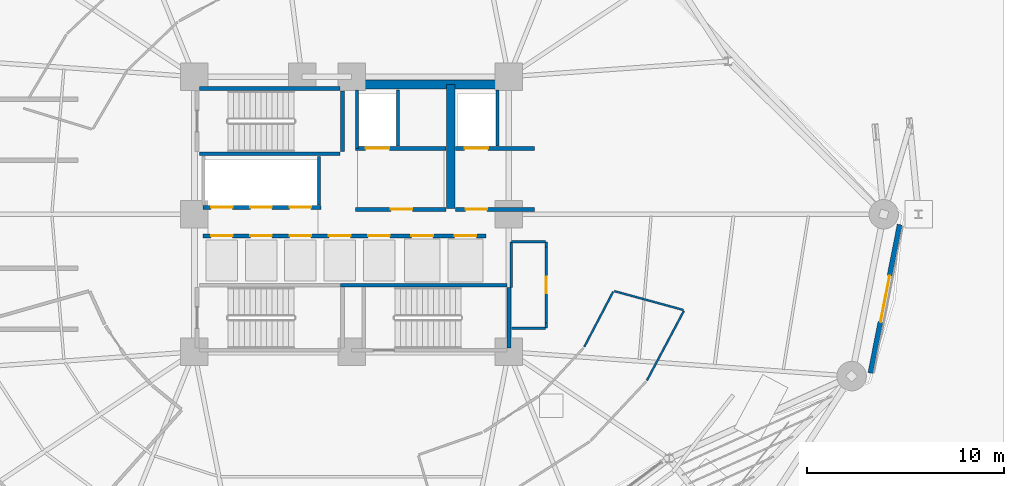
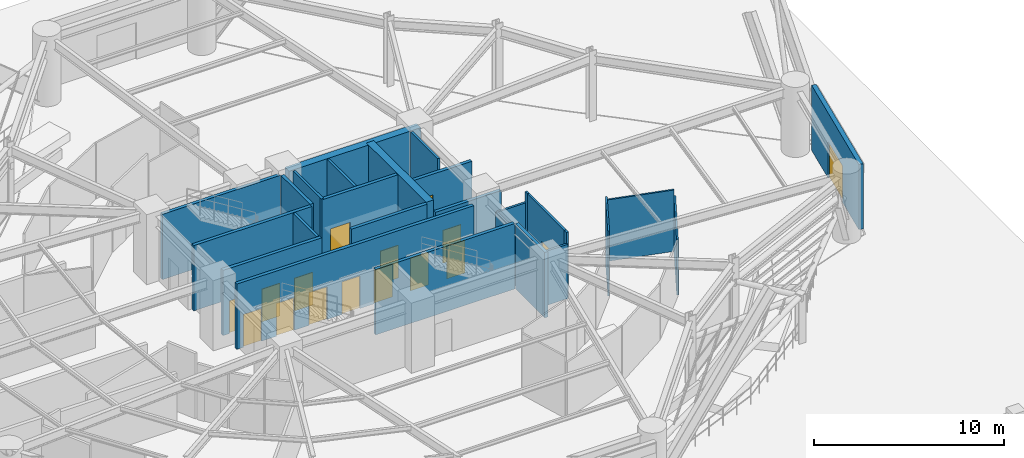
# One storey, part 30 of 40: 27 walls, 16 doors, 16 openings.
"""IFC4 building model written with IfcOpenShell, lengths in metres."""

from ifc_helpers import new_model, si_unit, direction, frame, frame_2d, origin, place, context, subcontext, project, spatial, rectangle, extrude, material, layer, layer_set, type_object, element, fill, save


model = new_model("IFC4")

# Units and contexts
model_context = context("Model", 3, precision=1e-05, world=origin(), true_north=direction((0.0, 1.0)))
body_context = subcontext(model_context, "Body", "Model", "MODEL_VIEW")
ifc_project = project(units=[si_unit("LENGTHUNIT", "METRE"), si_unit("AREAUNIT", "SQUARE_METRE"), si_unit("VOLUMEUNIT", "CUBIC_METRE"), si_unit("PLANEANGLEUNIT", "RADIAN"), si_unit("MASSUNIT", "GRAM", prefix="KILO")], contexts=[model_context])

# Site, building, storey
site_placement = place(None, origin())
site = spatial("IfcSite", under=ifc_project, at=site_placement, CompositionType="ELEMENT")
building_placement = place(site_placement, origin())
building = spatial("IfcBuilding", under=site, at=building_placement, Name="Kelanora Arch Commons", CompositionType="ELEMENT")
storey_placement = place(building_placement, origin())
storey = spatial("IfcBuildingStorey", under=building, at=storey_placement, Name="L00", CompositionType="ELEMENT", Elevation=0.0)

# Walls
ifc_material_1 = material(Name="Autoclaved aerated concrete blockwork with fire plaster", Category="masonry")
ifc_layer_1 = layer(ifc_material_1, 0.14990234375)
ifc_layer_set_1 = layer_set([ifc_layer_1], Name="Autoclaved aerated concrete blockwork with fire plaster")
wall_type_1 = type_object("IfcWallType", Name="W-COMP-150", PredefinedType="PARTITIONING", material=ifc_layer_set_1)
wall_1_placement = place(storey_placement, frame((74.280029296875, 61.35009765625, 0.0), z_axis=(0.0, 0.0, 1.0), x_axis=(0.0, 1.0, 0.0)))
element("IfcWall", 1, at=wall_1_placement, inside=storey, type_object=wall_type_1, Name="Firefighting Lift 1 West Shaft Wall L00", PredefinedType="PARTITIONING", context=body_context, shape_type="SweptSolid", body=[
    extrude(rectangle(XDim=2.969970703125, YDim=0.14990234375, at=frame_2d((1.48486328125, 0.0))), origin(), (0.0, 0.0, 1.0), 4.18994140625),
])
for number, where, z_axis, x_axis, name in (
    (2, (76.360107421875, 61.47998046875, 0.0), (0.0, 0.0, 1.0), (0.0, 1.0, 0.0), "Firefighting Lift 1 East Shaft Wall L00"),
    (3, (81.419921875, 61.47998046875, 0.0), (0.0, 0.0, 1.0), (0.0, 1.0, 0.0), "Firefighting Lift 2 East Shaft Wall L00"),
):
    element("IfcWall", number, at=place(storey_placement, frame(where, z_axis=z_axis, x_axis=x_axis)), inside=storey, type_object=wall_type_1, Name=name, PredefinedType="PARTITIONING", context=body_context, shape_type="SweptSolid", body=[
        extrude(rectangle(XDim=2.840087890625, YDim=0.14990234375, at=frame_2d((1.419921875, 0.0))), origin(), (0.0, 0.0, 1.0), 4.18994140625),
    ])
wall_2_placement = place(storey_placement, frame((72.340087890625, 58.47998046875, 0.0), z_axis=(0.0, 0.0, 1.0), x_axis=(0.0, 1.0, 0.0)))
element("IfcWall", 4, at=wall_2_placement, inside=storey, type_object=wall_type_1, Name="Low-Rise Lift Bank East Wall L00", PredefinedType="PARTITIONING", context=body_context, shape_type="SweptSolid", body=[
    extrude(rectangle(XDim=2.4599609375, YDim=0.14990234375, at=frame_2d((1.22998046875, 0.0))), origin(), (0.0, 0.0, 1.0), 4.18994140625),
])
ifc_material_2 = material(Name="Concrete C60/75", Category="concrete")
ifc_layer_2 = layer(ifc_material_2, 0.449951171875)
ifc_layer_set_2 = layer_set([ifc_layer_2], Name="Concrete C60/75")
wall_type_2 = type_object("IfcWallType", Name="W-CORE-450", PredefinedType="SHEAR", material=ifc_layer_set_2)
wall_3_placement = place(storey_placement, frame((74.0, 64.60009765625, 0.0), z_axis=(0.0, 0.0, 1.0), x_axis=(1.0, 0.0, 0.0)))
element("IfcWall", 5, at=wall_3_placement, inside=storey, type_object=wall_type_2, Name="Core Shear Spine L00-CN-E", PredefinedType="SHEAR", context=body_context, shape_type="SweptSolid", body=[
    extrude(rectangle(XDim=8.0, YDim=0.449951171875, at=frame_2d((4.0, 0.0))), origin(), (0.0, 0.0, 1.0), 4.199951171875),
])
wall_4_placement = place(storey_placement, frame((79.050048828125, 58.300048828125, 0.0), z_axis=(0.0, 0.0, 1.0), x_axis=(0.0, 1.0, 0.0)))
element("IfcWall", 6, at=wall_4_placement, inside=storey, type_object=wall_type_2, Name="Core Shear Spine L00-CE-N", PredefinedType="SHEAR", context=body_context, shape_type="SweptSolid", body=[
    extrude(rectangle(XDim=6.300048828125, YDim=0.449951171875, at=frame_2d((3.14990234375, 0.0))), origin(), (0.0, 0.0, 1.0), 4.199951171875),
])

# Wall, opening, door
ifc_material_3 = material(Name="Precast concrete C40/50 with terracotta rainscreen", Category="masonry")
ifc_layer_3 = layer(ifc_material_3, 0.260009765625)
ifc_layer_set_3 = layer_set([ifc_layer_3], Name="Precast concrete C40/50 with terracotta rainscreen")
wall_type_3 = type_object("IfcWallType", Name="W-EXT-TC", PredefinedType="SOLIDWALL", material=ifc_layer_set_3)
wall_5_placement = place(storey_placement, frame((100.404296875, 49.919921875, 0.0), z_axis=(0.0, 0.0, 1.0), x_axis=(0.193726159581, 0.98105564322, 0.0)))
wall_5 = element("IfcWall", 7, at=wall_5_placement, inside=storey, type_object=wall_type_3, Name="Terracotta Exterior Wall L00-B17", PredefinedType="SOLIDWALL", context=body_context, shape_type="SweptSolid", body=[
    extrude(rectangle(XDim=7.70263671875, YDim=0.260009765625, at=frame_2d((3.851318359375, 0.0))), origin(), (0.0, 0.0, 1.0), 4.18505859375),
])
opening_1_placement = place(wall_5_placement, frame((2.65087890625, 0.0, 0.0)))
opening_1 = element("IfcOpeningElement", 8, at=opening_1_placement, cuts=wall_5, Name="Opening DX-01", PredefinedType="OPENING", context=body_context, shape_type="SweptSolid", body=[
    extrude(rectangle(XDim=2.39990234375, YDim=2.35009765625, at=frame_2d((1.199951171875, 1.175048828125))), frame((0.0, 0.14013671875, 0.0), z_axis=(0.0, -1.0, 0.0), x_axis=(1.0, 0.0, 0.0)), (0.0, 0.0, 1.0), 0.280029296875),
])
ifc_material_4 = material(Name="Powder-coated aluminium glazed double escape door", Category="aluminium")
door_type_1 = type_object("IfcDoorType", Name="D-EXIT-22", OperationType="NOTDEFINED", PredefinedType="DOOR", material=ifc_material_4)
door_1_placement = place(opening_1_placement, frame((2.39990234375, 0.0, 0.0), z_axis=(0.0, 0.0, 1.0), x_axis=(-1.0, 0.0, 0.0)))
door_1 = element("IfcDoor", 9, at=door_1_placement, inside=storey, type_object=door_type_1, Name="Tower Ground Pedestrian Exit Door T17", OperationType="DOUBLE_DOOR_SINGLE_SWING", OverallHeight=2.35009765625, OverallWidth=2.39990234375, PredefinedType="DOOR", context=body_context, shape_type="SweptSolid", body=[
    extrude(rectangle(XDim=2.39990234375, YDim=2.35009765625, at=frame_2d((1.199951171875, 1.175048828125))), frame((0.0, 0.02490234375, 0.0), z_axis=(0.0, -1.0, 0.0), x_axis=(1.0, 0.0, 0.0)), (0.0, 0.0, 1.0), 0.050048828125),
])
fill(opening_1, door_1)

ifc_material_5 = material(Name="Concrete C40/50", Category="concrete")
ifc_layer_4 = layer(ifc_material_5, 0.199951171875)
ifc_layer_set_4 = layer_set([ifc_layer_4], Name="Concrete C40/50")
wall_type_4 = type_object("IfcWallType", Name="W-FFL-200", PredefinedType="SOLIDWALL", material=ifc_layer_set_4)
wall_6_placement = place(storey_placement, frame((74.199951171875, 61.35009765625, 0.0), z_axis=(0.0, 0.0, 1.0), x_axis=(1.0, 0.0, 0.0)))
wall_6 = element("IfcWall", 10, at=wall_6_placement, inside=storey, type_object=wall_type_4, Name="Firefighting Lift 1 Shaft Front L00", PredefinedType="SOLIDWALL", context=body_context, shape_type="SweptSolid", body=[
    extrude(rectangle(XDim=4.60009765625, YDim=0.199951171875, at=frame_2d((2.300048828125, 0.0))), origin(), (0.0, 0.0, 1.0), 4.18994140625),
])
opening_2_placement = place(wall_6_placement, frame((0.52001953125, 0.0, 0.0)))
opening_2 = element("IfcOpeningElement", 11, at=opening_2_placement, cuts=wall_6, Name="Opening LD-FF", PredefinedType="OPENING", context=body_context, shape_type="SweptSolid", body=[
    extrude(rectangle(XDim=1.199951171875, YDim=2.14990234375, at=frame_2d((0.60009765625, 1.074951171875))), frame((0.0, 0.10986328125, 0.0), z_axis=(0.0, -1.0, 0.0), x_axis=(1.0, 0.0, 0.0)), (0.0, 0.0, 1.0), 0.219970703125),
])
ifc_material_6 = material(Name="Fire-rated firefighters lift sliding landing door")
door_type_2 = type_object("IfcDoorType", Name="D-LIFT-FF", OperationType="NOTDEFINED", PredefinedType="DOOR", material=ifc_material_6)
door_2_placement = place(opening_2_placement, origin())
door_2 = element("IfcDoor", 12, at=door_2_placement, inside=storey, type_object=door_type_2, Name="Firefighting Lift LF-FF1 Landing Door L00", OperationType="DOUBLE_DOOR_SLIDING", OverallHeight=2.14990234375, OverallWidth=1.199951171875, PredefinedType="DOOR", context=body_context, shape_type="SweptSolid", body=[
    extrude(rectangle(XDim=1.199951171875, YDim=2.14990234375, at=frame_2d((0.60009765625, 1.074951171875))), frame((0.0, 0.02490234375, 0.0), z_axis=(0.0, -1.0, 0.0), x_axis=(1.0, 0.0, 0.0)), (0.0, 0.0, 1.0), 0.050048828125),
])
fill(opening_2, door_2)

wall_7_placement = place(storey_placement, frame((79.300048828125, 61.35009765625, 0.0), z_axis=(0.0, 0.0, 1.0), x_axis=(1.0, 0.0, 0.0)))
wall_7 = element("IfcWall", 13, at=wall_7_placement, inside=storey, type_object=wall_type_4, Name="Firefighting Lift 2 Shaft Front L00", PredefinedType="SOLIDWALL", context=body_context, shape_type="SweptSolid", body=[
    extrude(rectangle(XDim=4.0, YDim=0.199951171875, at=frame_2d((2.0, 0.0))), origin(), (0.0, 0.0, 1.0), 3.485107421875),
])
opening_3_placement = place(wall_7_placement, frame((0.449951171875, 0.0, 0.0)))
opening_3 = element("IfcOpeningElement", 14, at=opening_3_placement, cuts=wall_7, Name="Opening LD-FF", PredefinedType="OPENING", context=body_context, shape_type="SweptSolid", body=[
    extrude(rectangle(XDim=1.199951171875, YDim=2.14990234375, at=frame_2d((0.60009765625, 1.074951171875))), frame((0.0, 0.10986328125, 0.0), z_axis=(0.0, -1.0, 0.0), x_axis=(1.0, 0.0, 0.0)), (0.0, 0.0, 1.0), 0.219970703125),
])
door_3_placement = place(opening_3_placement, origin())
door_3 = element("IfcDoor", 15, at=door_3_placement, inside=storey, type_object=door_type_2, Name="Firefighting Lift LF-FF2 Landing Door L00", OperationType="DOUBLE_DOOR_SLIDING", OverallHeight=2.14990234375, OverallWidth=1.199951171875, PredefinedType="DOOR", context=body_context, shape_type="SweptSolid", body=[
    extrude(rectangle(XDim=1.199951171875, YDim=2.14990234375, at=frame_2d((0.60009765625, 1.074951171875))), frame((0.0, 0.02490234375, 0.0), z_axis=(0.0, -1.0, 0.0), x_axis=(1.0, 0.0, 0.0)), (0.0, 0.0, 1.0), 0.050048828125),
])
fill(opening_3, door_3)

wall_8_placement = place(storey_placement, frame((74.199951171875, 58.25, 0.0), z_axis=(0.0, 0.0, 1.0), x_axis=(1.0, 0.0, 0.0)))
wall_8 = element("IfcWall", 16, at=wall_8_placement, inside=storey, type_object=wall_type_4, Name="Firefighting Lobby 1 Enclosure Wall L00", PredefinedType="SOLIDWALL", context=body_context, shape_type="SweptSolid", body=[
    extrude(rectangle(XDim=4.60009765625, YDim=0.199951171875, at=frame_2d((2.300048828125, 0.0))), origin(), (0.0, 0.0, 1.0), 4.18994140625),
])
opening_4_placement = place(wall_8_placement, frame((1.800048828125, 0.0, 0.0)))
opening_4 = element("IfcOpeningElement", 17, at=opening_4_placement, cuts=wall_8, Name="Opening D-FFL1", PredefinedType="OPENING", context=body_context, shape_type="SweptSolid", body=[
    extrude(rectangle(XDim=1.10009765625, YDim=2.10009765625, at=frame_2d((0.550048828125, 1.050048828125))), frame((0.0, 0.10986328125, 0.0), z_axis=(0.0, -1.0, 0.0), x_axis=(1.0, 0.0, 0.0)), (0.0, 0.0, 1.0), 0.219970703125),
])
ifc_material_7 = material(Name="Smoke-sealed firefighting lobby fire door")
door_type_3 = type_object("IfcDoorType", Name="D-FFL-110", OperationType="NOTDEFINED", PredefinedType="DOOR", material=ifc_material_7)
door_4_placement = place(opening_4_placement, frame((1.10009765625, 0.0, 0.0), z_axis=(0.0, 0.0, 1.0), x_axis=(-1.0, 0.0, 0.0)))
door_4 = element("IfcDoor", 18, at=door_4_placement, inside=storey, type_object=door_type_3, Name="Firefighting Lobby 1 Door L00", OperationType="SINGLE_SWING_LEFT", OverallHeight=2.10009765625, OverallWidth=1.10009765625, PredefinedType="DOOR", context=body_context, shape_type="SweptSolid", body=[
    extrude(rectangle(XDim=1.10009765625, YDim=2.10009765625, at=frame_2d((0.550048828125, 1.050048828125))), frame((0.0, 0.02490234375, 0.0), z_axis=(0.0, -1.0, 0.0), x_axis=(1.0, 0.0, 0.0)), (0.0, 0.0, 1.0), 0.050048828125),
])
fill(opening_4, door_4)

wall_9_placement = place(storey_placement, frame((79.300048828125, 58.25, 0.0), z_axis=(0.0, 0.0, 1.0), x_axis=(1.0, 0.0, 0.0)))
wall_9 = element("IfcWall", 19, at=wall_9_placement, inside=storey, type_object=wall_type_4, Name="Firefighting Lobby 2 Enclosure Wall L00", PredefinedType="SOLIDWALL", context=body_context, shape_type="SweptSolid", body=[
    extrude(rectangle(XDim=4.0, YDim=0.199951171875, at=frame_2d((2.0, 0.0))), origin(), (0.0, 0.0, 1.0), 3.485107421875),
])
opening_5_placement = place(wall_9_placement, frame((0.5, 0.0, 0.0)))
opening_5 = element("IfcOpeningElement", 20, at=opening_5_placement, cuts=wall_9, Name="Opening D-FFL1", PredefinedType="OPENING", context=body_context, shape_type="SweptSolid", body=[
    extrude(rectangle(XDim=1.10009765625, YDim=2.10009765625, at=frame_2d((0.550048828125, 1.050048828125))), frame((0.0, 0.10986328125, 0.0), z_axis=(0.0, -1.0, 0.0), x_axis=(1.0, 0.0, 0.0)), (0.0, 0.0, 1.0), 0.219970703125),
])
door_5_placement = place(opening_5_placement, frame((1.10009765625, 0.0, 0.0), z_axis=(0.0, 0.0, 1.0), x_axis=(-1.0, 0.0, 0.0)))
door_5 = element("IfcDoor", 21, at=door_5_placement, inside=storey, type_object=door_type_3, Name="Firefighting Lobby 2 Door L00", OperationType="SINGLE_SWING_RIGHT", OverallHeight=2.10009765625, OverallWidth=1.10009765625, PredefinedType="DOOR", context=body_context, shape_type="SweptSolid", body=[
    extrude(rectangle(XDim=1.10009765625, YDim=2.10009765625, at=frame_2d((0.550048828125, 1.050048828125))), frame((0.0, 0.02490234375, 0.0), z_axis=(0.0, -1.0, 0.0), x_axis=(1.0, 0.0, 0.0)), (0.0, 0.0, 1.0), 0.050048828125),
])
fill(opening_5, door_5)

# Wall, openings, doors
wall_10_placement = place(storey_placement, frame((66.449951171875, 58.35009765625, 0.0), z_axis=(0.0, 0.0, 1.0), x_axis=(1.0, 0.0, 0.0)))
wall_10 = element("IfcWall", 22, at=wall_10_placement, inside=storey, type_object=wall_type_4, Name="Low-Rise Passenger Lift Shaft Front L00", PredefinedType="SOLIDWALL", context=body_context, shape_type="SweptSolid", body=[
    extrude(rectangle(XDim=6.0, YDim=0.199951171875, at=frame_2d((3.0, 0.0))), origin(), (0.0, 0.0, 1.0), 4.18994140625),
])
opening_6_placement = place(wall_10_placement, frame((0.39990234375, 0.0, 0.0)))
opening_6 = element("IfcOpeningElement", 23, at=opening_6_placement, cuts=wall_10, Name="Opening LD-01", PredefinedType="OPENING", context=body_context, shape_type="SweptSolid", body=[
    extrude(rectangle(XDim=1.10009765625, YDim=2.10009765625, at=frame_2d((0.550048828125, 1.050048828125))), frame((0.0, 0.10986328125, 0.0), z_axis=(0.0, -1.0, 0.0), x_axis=(1.0, 0.0, 0.0)), (0.0, 0.0, 1.0), 0.219970703125),
])
opening_7_placement = place(wall_10_placement, frame((2.39990234375, 0.0, 0.0)))
opening_7 = element("IfcOpeningElement", 24, at=opening_7_placement, cuts=wall_10, Name="Opening LD-01", PredefinedType="OPENING", context=body_context, shape_type="SweptSolid", body=[
    extrude(rectangle(XDim=1.10009765625, YDim=2.10009765625, at=frame_2d((0.550048828125, 1.050048828125))), frame((0.0, 0.10986328125, 0.0), z_axis=(0.0, -1.0, 0.0), x_axis=(1.0, 0.0, 0.0)), (0.0, 0.0, 1.0), 0.219970703125),
])
opening_8_placement = place(wall_10_placement, frame((4.39990234375, 0.0, 0.0)))
opening_8 = element("IfcOpeningElement", 25, at=opening_8_placement, cuts=wall_10, Name="Opening LD-01", PredefinedType="OPENING", context=body_context, shape_type="SweptSolid", body=[
    extrude(rectangle(XDim=1.10009765625, YDim=2.10009765625, at=frame_2d((0.550048828125, 1.050048828125))), frame((0.0, 0.10986328125, 0.0), z_axis=(0.0, -1.0, 0.0), x_axis=(1.0, 0.0, 0.0)), (0.0, 0.0, 1.0), 0.219970703125),
])
ifc_material_8 = material(Name="Stainless steel passenger lift sliding landing door", Category="steel")
door_type_4 = type_object("IfcDoorType", Name="D-LIFT-110", OperationType="NOTDEFINED", PredefinedType="DOOR", material=ifc_material_8)
door_6_placement = place(opening_6_placement, origin())
door_6 = element("IfcDoor", 26, at=door_6_placement, inside=storey, type_object=door_type_4, Name="Passenger Lift LF-P1 Landing Door L00", OperationType="DOUBLE_DOOR_SLIDING", OverallHeight=2.10009765625, OverallWidth=1.10009765625, PredefinedType="DOOR", context=body_context, shape_type="SweptSolid", body=[
    extrude(rectangle(XDim=1.10009765625, YDim=2.10009765625, at=frame_2d((0.550048828125, 1.050048828125))), frame((0.0, 0.02490234375, 0.0), z_axis=(0.0, -1.0, 0.0), x_axis=(1.0, 0.0, 0.0)), (0.0, 0.0, 1.0), 0.050048828125),
])
fill(opening_6, door_6)
door_7_placement = place(opening_7_placement, origin())
door_7 = element("IfcDoor", 27, at=door_7_placement, inside=storey, type_object=door_type_4, Name="Passenger Lift LF-P2 Landing Door L00", OperationType="DOUBLE_DOOR_SLIDING", OverallHeight=2.10009765625, OverallWidth=1.10009765625, PredefinedType="DOOR", context=body_context, shape_type="SweptSolid", body=[
    extrude(rectangle(XDim=1.10009765625, YDim=2.10009765625, at=frame_2d((0.550048828125, 1.050048828125))), frame((0.0, 0.02490234375, 0.0), z_axis=(0.0, -1.0, 0.0), x_axis=(1.0, 0.0, 0.0)), (0.0, 0.0, 1.0), 0.050048828125),
])
fill(opening_7, door_7)
door_8_placement = place(opening_8_placement, origin())
door_8 = element("IfcDoor", 28, at=door_8_placement, inside=storey, type_object=door_type_4, Name="Passenger Lift LF-P3 Landing Door L00", OperationType="DOUBLE_DOOR_SLIDING", OverallHeight=2.10009765625, OverallWidth=1.10009765625, PredefinedType="DOOR", context=body_context, shape_type="SweptSolid", body=[
    extrude(rectangle(XDim=1.10009765625, YDim=2.10009765625, at=frame_2d((0.550048828125, 1.050048828125))), frame((0.0, 0.02490234375, 0.0), z_axis=(0.0, -1.0, 0.0), x_axis=(1.0, 0.0, 0.0)), (0.0, 0.0, 1.0), 0.050048828125),
])
fill(opening_8, door_8)

wall_11_placement = place(storey_placement, frame((66.449951171875, 56.89990234375, 0.0), z_axis=(0.0, 0.0, 1.0), x_axis=(1.0, 0.0, 0.0)))
wall_11 = element("IfcWall", 29, at=wall_11_placement, inside=storey, type_object=wall_type_4, Name="Mid/High/Express Lift Shaft Front L00", PredefinedType="SOLIDWALL", context=body_context, shape_type="SweptSolid", body=[
    extrude(rectangle(XDim=14.400146484375, YDim=0.199951171875, at=frame_2d((7.2001953125, 0.0))), origin(), (0.0, 0.0, 1.0), 4.18994140625),
])
opening_9_placement = place(wall_11_placement, frame((0.39990234375, 0.0, 0.0)))
opening_9 = element("IfcOpeningElement", 30, at=opening_9_placement, cuts=wall_11, Name="Opening LD-01", PredefinedType="OPENING", context=body_context, shape_type="SweptSolid", body=[
    extrude(rectangle(XDim=1.10009765625, YDim=2.10009765625, at=frame_2d((0.550048828125, 1.050048828125))), frame((0.0, 0.10986328125, 0.0), z_axis=(0.0, -1.0, 0.0), x_axis=(1.0, 0.0, 0.0)), (0.0, 0.0, 1.0), 0.219970703125),
])
opening_10_placement = place(wall_11_placement, frame((2.39990234375, 0.0, 0.0)))
opening_10 = element("IfcOpeningElement", 31, at=opening_10_placement, cuts=wall_11, Name="Opening LD-01", PredefinedType="OPENING", context=body_context, shape_type="SweptSolid", body=[
    extrude(rectangle(XDim=1.10009765625, YDim=2.10009765625, at=frame_2d((0.550048828125, 1.050048828125))), frame((0.0, 0.10986328125, 0.0), z_axis=(0.0, -1.0, 0.0), x_axis=(1.0, 0.0, 0.0)), (0.0, 0.0, 1.0), 0.219970703125),
])
opening_11_placement = place(wall_11_placement, frame((4.39990234375, 0.0, 0.0)))
opening_11 = element("IfcOpeningElement", 32, at=opening_11_placement, cuts=wall_11, Name="Opening LD-01", PredefinedType="OPENING", context=body_context, shape_type="SweptSolid", body=[
    extrude(rectangle(XDim=1.10009765625, YDim=2.10009765625, at=frame_2d((0.550048828125, 1.050048828125))), frame((0.0, 0.10986328125, 0.0), z_axis=(0.0, -1.0, 0.0), x_axis=(1.0, 0.0, 0.0)), (0.0, 0.0, 1.0), 0.219970703125),
])
opening_12_placement = place(wall_11_placement, frame((6.39990234375, 0.0, 0.0)))
opening_12 = element("IfcOpeningElement", 33, at=opening_12_placement, cuts=wall_11, Name="Opening LD-01", PredefinedType="OPENING", context=body_context, shape_type="SweptSolid", body=[
    extrude(rectangle(XDim=1.10009765625, YDim=2.10009765625, at=frame_2d((0.550048828125, 1.050048828125))), frame((0.0, 0.10986328125, 0.0), z_axis=(0.0, -1.0, 0.0), x_axis=(1.0, 0.0, 0.0)), (0.0, 0.0, 1.0), 0.219970703125),
])
opening_13_placement = place(wall_11_placement, frame((8.39990234375, 0.0, 0.0)))
opening_13 = element("IfcOpeningElement", 34, at=opening_13_placement, cuts=wall_11, Name="Opening LD-01", PredefinedType="OPENING", context=body_context, shape_type="SweptSolid", body=[
    extrude(rectangle(XDim=1.10009765625, YDim=2.10009765625, at=frame_2d((0.550048828125, 1.050048828125))), frame((0.0, 0.10986328125, 0.0), z_axis=(0.0, -1.0, 0.0), x_axis=(1.0, 0.0, 0.0)), (0.0, 0.0, 1.0), 0.219970703125),
])
opening_14_placement = place(wall_11_placement, frame((10.60009765625, 0.0, 0.0)))
opening_14 = element("IfcOpeningElement", 35, at=opening_14_placement, cuts=wall_11, Name="Opening LD-01", PredefinedType="OPENING", context=body_context, shape_type="SweptSolid", body=[
    extrude(rectangle(XDim=1.10009765625, YDim=2.10009765625, at=frame_2d((0.550048828125, 1.050048828125))), frame((0.0, 0.10986328125, 0.0), z_axis=(0.0, -1.0, 0.0), x_axis=(1.0, 0.0, 0.0)), (0.0, 0.0, 1.0), 0.219970703125),
])
opening_15_placement = place(wall_11_placement, frame((12.800048828125, 0.0, 0.0)))
opening_15 = element("IfcOpeningElement", 36, at=opening_15_placement, cuts=wall_11, Name="Opening LD-01", PredefinedType="OPENING", context=body_context, shape_type="SweptSolid", body=[
    extrude(rectangle(XDim=1.10009765625, YDim=2.10009765625, at=frame_2d((0.550048828125, 1.050048828125))), frame((0.0, 0.10986328125, 0.0), z_axis=(0.0, -1.0, 0.0), x_axis=(1.0, 0.0, 0.0)), (0.0, 0.0, 1.0), 0.219970703125),
])
door_9_placement = place(opening_9_placement, origin())
door_9 = element("IfcDoor", 37, at=door_9_placement, inside=storey, type_object=door_type_4, Name="Passenger Lift LF-P4 Landing Door L00", OperationType="DOUBLE_DOOR_SLIDING", OverallHeight=2.10009765625, OverallWidth=1.10009765625, PredefinedType="DOOR", context=body_context, shape_type="SweptSolid", body=[
    extrude(rectangle(XDim=1.10009765625, YDim=2.10009765625, at=frame_2d((0.550048828125, 1.050048828125))), frame((0.0, 0.02490234375, 0.0), z_axis=(0.0, -1.0, 0.0), x_axis=(1.0, 0.0, 0.0)), (0.0, 0.0, 1.0), 0.050048828125),
])
fill(opening_9, door_9)
door_10_placement = place(opening_10_placement, origin())
door_10 = element("IfcDoor", 38, at=door_10_placement, inside=storey, type_object=door_type_4, Name="Passenger Lift LF-P5 Landing Door L00", OperationType="DOUBLE_DOOR_SLIDING", OverallHeight=2.10009765625, OverallWidth=1.10009765625, PredefinedType="DOOR", context=body_context, shape_type="SweptSolid", body=[
    extrude(rectangle(XDim=1.10009765625, YDim=2.10009765625, at=frame_2d((0.550048828125, 1.050048828125))), frame((0.0, 0.02490234375, 0.0), z_axis=(0.0, -1.0, 0.0), x_axis=(1.0, 0.0, 0.0)), (0.0, 0.0, 1.0), 0.050048828125),
])
fill(opening_10, door_10)
door_11_placement = place(opening_11_placement, origin())
door_11 = element("IfcDoor", 39, at=door_11_placement, inside=storey, type_object=door_type_4, Name="Passenger Lift LF-P6 Landing Door L00", OperationType="DOUBLE_DOOR_SLIDING", OverallHeight=2.10009765625, OverallWidth=1.10009765625, PredefinedType="DOOR", context=body_context, shape_type="SweptSolid", body=[
    extrude(rectangle(XDim=1.10009765625, YDim=2.10009765625, at=frame_2d((0.550048828125, 1.050048828125))), frame((0.0, 0.02490234375, 0.0), z_axis=(0.0, -1.0, 0.0), x_axis=(1.0, 0.0, 0.0)), (0.0, 0.0, 1.0), 0.050048828125),
])
fill(opening_11, door_11)
door_12_placement = place(opening_12_placement, origin())
door_12 = element("IfcDoor", 40, at=door_12_placement, inside=storey, type_object=door_type_4, Name="Passenger Lift LF-P7 Landing Door L00", OperationType="DOUBLE_DOOR_SLIDING", OverallHeight=2.10009765625, OverallWidth=1.10009765625, PredefinedType="DOOR", context=body_context, shape_type="SweptSolid", body=[
    extrude(rectangle(XDim=1.10009765625, YDim=2.10009765625, at=frame_2d((0.550048828125, 1.050048828125))), frame((0.0, 0.02490234375, 0.0), z_axis=(0.0, -1.0, 0.0), x_axis=(1.0, 0.0, 0.0)), (0.0, 0.0, 1.0), 0.050048828125),
])
fill(opening_12, door_12)
door_13_placement = place(opening_13_placement, origin())
door_13 = element("IfcDoor", 41, at=door_13_placement, inside=storey, type_object=door_type_4, Name="Passenger Lift LF-P8 Landing Door L00", OperationType="DOUBLE_DOOR_SLIDING", OverallHeight=2.10009765625, OverallWidth=1.10009765625, PredefinedType="DOOR", context=body_context, shape_type="SweptSolid", body=[
    extrude(rectangle(XDim=1.10009765625, YDim=2.10009765625, at=frame_2d((0.550048828125, 1.050048828125))), frame((0.0, 0.02490234375, 0.0), z_axis=(0.0, -1.0, 0.0), x_axis=(1.0, 0.0, 0.0)), (0.0, 0.0, 1.0), 0.050048828125),
])
fill(opening_13, door_13)
door_14_placement = place(opening_14_placement, origin())
door_14 = element("IfcDoor", 42, at=door_14_placement, inside=storey, type_object=door_type_4, Name="Passenger Lift LF-EX1 Landing Door L00", OperationType="DOUBLE_DOOR_SLIDING", OverallHeight=2.10009765625, OverallWidth=1.10009765625, PredefinedType="DOOR", context=body_context, shape_type="SweptSolid", body=[
    extrude(rectangle(XDim=1.10009765625, YDim=2.10009765625, at=frame_2d((0.550048828125, 1.050048828125))), frame((0.0, 0.02490234375, 0.0), z_axis=(0.0, -1.0, 0.0), x_axis=(1.0, 0.0, 0.0)), (0.0, 0.0, 1.0), 0.050048828125),
])
fill(opening_14, door_14)
door_15_placement = place(opening_15_placement, origin())
door_15 = element("IfcDoor", 43, at=door_15_placement, inside=storey, type_object=door_type_4, Name="Passenger Lift LF-EX2 Landing Door L00", OperationType="DOUBLE_DOOR_SLIDING", OverallHeight=2.10009765625, OverallWidth=1.10009765625, PredefinedType="DOOR", context=body_context, shape_type="SweptSolid", body=[
    extrude(rectangle(XDim=1.10009765625, YDim=2.10009765625, at=frame_2d((0.550048828125, 1.050048828125))), frame((0.0, 0.02490234375, 0.0), z_axis=(0.0, -1.0, 0.0), x_axis=(1.0, 0.0, 0.0)), (0.0, 0.0, 1.0), 0.050048828125),
])
fill(opening_15, door_15)

# Walls
ifc_material_9 = material(Name="Lightweight fire-rated acoustic stud partition")
ifc_layer_5 = layer(ifc_material_9, 0.10009765625)
ifc_layer_set_5 = layer_set([ifc_layer_5], Name="Lightweight fire-rated acoustic stud partition")
wall_type_5 = type_object("IfcWallType", Name="W-PART-100", PredefinedType="PARTITIONING", material=ifc_layer_set_5)
wall_12_placement = place(storey_placement, frame((85.842529296875, 51.25439453125, 0.0), z_axis=(0.0, 0.0, 1.0), x_axis=(0.464213996316, 0.885723075021, 0.0)))
element("IfcWall", 44, at=wall_12_placement, inside=storey, type_object=wall_type_5, Name="Courtyard Communal Dining Pavilion South-East Enclosure Partition 4", PredefinedType="PARTITIONING", context=body_context, shape_type="SweptSolid", body=[
    extrude(rectangle(XDim=3.1728515625, YDim=0.10009765625, at=frame_2d((1.58642578125, 0.0))), origin(), (0.0, 0.0, 1.0), 4.18994140625),
])
wall_13_placement = place(storey_placement, frame((87.37255859375, 54.089599609375, 0.0), z_axis=(0.0, 0.0, 1.0), x_axis=(0.964640120238, -0.263570556831, 0.0)))
element("IfcWall", 45, at=wall_13_placement, inside=storey, type_object=wall_type_5, Name="Courtyard Communal Dining Pavilion South-East Enclosure Partition 5", PredefinedType="PARTITIONING", context=body_context, shape_type="SweptSolid", body=[
    extrude(rectangle(XDim=3.646728515625, YDim=0.10009765625, at=frame_2d((1.8232421875, 0.0))), origin(), (0.0, 0.0, 1.0), 3.945068359375),
])
wall_14_placement = place(storey_placement, frame((90.91015625, 53.082763671875, 0.0), z_axis=(0.0, 0.0, 1.0), x_axis=(-0.469290424741, -0.883043881835, 0.0)))
element("IfcWall", 46, at=wall_14_placement, inside=storey, type_object=wall_type_5, Name="Courtyard Communal Dining Pavilion South-East Enclosure Partition 6", PredefinedType="PARTITIONING", context=body_context, shape_type="SweptSolid", body=[
    extrude(rectangle(XDim=4.004638671875, YDim=0.10009765625, at=frame_2d((2.00244140625, 0.0))), origin(), (0.0, 0.0, 1.0), 3.5849609375),
])
ifc_layer_6 = layer(ifc_material_5, 0.199951171875)
ifc_layer_set_6 = layer_set([ifc_layer_6], Name="Concrete C40/50")
wall_type_6 = type_object("IfcWallType", Name="W-STAIR-200", PredefinedType="SHEAR", material=ifc_layer_set_6)
wall_15_placement = place(storey_placement, frame((66.260009765625, 61.080078125, 0.0), z_axis=(0.0, 0.0, 1.0), x_axis=(1.0, 0.0, 0.0)))
element("IfcWall", 47, at=wall_15_placement, inside=storey, type_object=wall_type_6, Name="Stair ST-T1 Shaft Wall S L00", PredefinedType="SHEAR", context=body_context, shape_type="SweptSolid", body=[
    extrude(rectangle(XDim=7.159912109375, YDim=0.199951171875, at=frame_2d((3.580078125, 0.0))), origin(), (0.0, 0.0, 1.0), 4.199951171875),
])
wall_16_placement = place(storey_placement, frame((73.5400390625, 61.199951171875, 0.0), z_axis=(0.0, 0.0, 1.0), x_axis=(0.0, 1.0, 0.0)))
element("IfcWall", 48, at=wall_16_placement, inside=storey, type_object=wall_type_6, Name="Stair ST-T1 Shaft Wall E L00", PredefinedType="SHEAR", context=body_context, shape_type="SweptSolid", body=[
    extrude(rectangle(XDim=3.070068359375, YDim=0.199951171875, at=frame_2d((1.53515625, 0.0))), origin(), (0.0, 0.0, 1.0), 4.199951171875),
])
wall_17_placement = place(storey_placement, frame((73.419921875, 64.389892578125, 0.0), z_axis=(0.0, 0.0, 1.0), x_axis=(-1.0, 0.0, 0.0)))
element("IfcWall", 49, at=wall_17_placement, inside=storey, type_object=wall_type_6, Name="Stair ST-T1 Shaft Wall N L00", PredefinedType="SHEAR", context=body_context, shape_type="SweptSolid", body=[
    extrude(rectangle(XDim=7.159912109375, YDim=0.199951171875, at=frame_2d((3.580078125, 0.0))), origin(), (0.0, 0.0, 1.0), 4.199951171875),
])
wall_18_placement = place(storey_placement, frame((82.02001953125, 51.199951171875, 0.0), z_axis=(0.0, 0.0, 1.0), x_axis=(0.0, 1.0, 0.0)))
element("IfcWall", 50, at=wall_18_placement, inside=storey, type_object=wall_type_6, Name="Stair ST-T2 Shaft Wall E L00", PredefinedType="SHEAR", context=body_context, shape_type="SweptSolid", body=[
    extrude(rectangle(XDim=3.070068359375, YDim=0.199951171875, at=frame_2d((1.53515625, 0.0))), origin(), (0.0, 0.0, 1.0), 4.199951171875),
])
wall_19_placement = place(storey_placement, frame((81.89990234375, 54.389892578125, 0.0), z_axis=(0.0, 0.0, 1.0), x_axis=(-1.0, 0.0, 0.0)))
element("IfcWall", 51, at=wall_19_placement, inside=storey, type_object=wall_type_6, Name="Stair ST-T2 Shaft Wall N L00", PredefinedType="SHEAR", context=body_context, shape_type="SweptSolid", body=[
    extrude(rectangle(XDim=8.4599609375, YDim=0.199951171875, at=frame_2d((4.22998046875, 0.0))), origin(), (0.0, 0.0, 1.0), 4.199951171875),
])

# Wall, opening, door
ifc_material_10 = material(Name="Moisture-resistant fire-rated cement-board plumbing wall")
ifc_layer_7 = layer(ifc_material_10, 0.1298828125)
ifc_layer_set_7 = layer_set([ifc_layer_7], Name="Moisture-resistant fire-rated cement-board plumbing wall")
wall_type_7 = type_object("IfcWallType", Name="W-WET-120", PredefinedType="PLUMBINGWALL", material=ifc_layer_set_7)
wall_20_placement = place(storey_placement, frame((83.89990234375, 52.4599609375, 0.0), z_axis=(0.0, 0.0, 1.0), x_axis=(0.0, 1.0, 0.0)))
wall_20 = element("IfcWall", 52, at=wall_20_placement, inside=storey, type_object=wall_type_7, Name="Podium Accessible Toilets L00 Entry Partition", PredefinedType="PLUMBINGWALL", context=body_context, shape_type="SweptSolid", body=[
    extrude(rectangle(XDim=3.880126953125, YDim=0.1298828125, at=frame_2d((1.93994140625, 0.0))), origin(), (0.0, 0.0, 1.0), 4.18994140625),
])
opening_16_placement = place(wall_20_placement, frame((1.510009765625, 0.0, 0.0)))
opening_16 = element("IfcOpeningElement", 53, at=opening_16_placement, cuts=wall_20, Name="Opening D-BT1", PredefinedType="OPENING", context=body_context, shape_type="SweptSolid", body=[
    extrude(rectangle(XDim=0.860107421875, YDim=2.050048828125, at=frame_2d((0.43017578125, 1.02490234375))), frame((0.0, 0.074951171875, 0.0), z_axis=(0.0, -1.0, 0.0), x_axis=(1.0, 0.0, 0.0)), (0.0, 0.0, 1.0), 0.14990234375),
])
ifc_material_11 = material(Name="Moisture-sealed fire-rated accessible bathroom door")
door_type_5 = type_object("IfcDoorType", Name="D-BATH-85", OperationType="NOTDEFINED", PredefinedType="DOOR", material=ifc_material_11)
door_16_placement = place(opening_16_placement, origin())
door_16 = element("IfcDoor", 54, at=door_16_placement, inside=storey, type_object=door_type_5, Name="Podium Accessible Toilets L00 Door", OperationType="SINGLE_SWING_LEFT", OverallHeight=2.050048828125, OverallWidth=0.860107421875, PredefinedType="DOOR", context=body_context, shape_type="SweptSolid", body=[
    extrude(rectangle(XDim=0.860107421875, YDim=2.050048828125, at=frame_2d((0.43017578125, 1.02490234375))), frame((0.0, 0.02490234375, 0.0), z_axis=(0.0, -1.0, 0.0), x_axis=(1.0, 0.0, 0.0)), (0.0, 0.0, 1.0), 0.050048828125),
])
fill(opening_16, door_16)

# Walls
wall_21_placement = place(storey_placement, frame((82.139892578125, 52.199951171875, 0.0), z_axis=(0.0, 0.0, 1.0), x_axis=(1.0, 0.0, 0.0)))
element("IfcWall", 55, at=wall_21_placement, inside=storey, type_object=wall_type_7, Name="Podium Accessible Toilets L00 Enclosure Partition 1", PredefinedType="PLUMBINGWALL", context=body_context, shape_type="SweptSolid", body=[
    extrude(rectangle(XDim=1.739990234375, YDim=0.1298828125, at=frame_2d((0.8701171875, 0.0))), origin(), (0.0, 0.0, 1.0), 3.485107421875),
])
for number, where, z_axis, x_axis, name in (
    (56, (83.89990234375, 52.219970703125, 0.0), (0.0, 0.0, 1.0), (0.0, 1.0, 0.0), "Podium Accessible Toilets L00 Enclosure Partition 2"),
    (57, (83.89990234375, 56.340087890625, 0.0), (0.0, 0.0, 1.0), (0.0, 1.0, 0.0), "Podium Accessible Toilets L00 Enclosure Partition 2"),
):
    element("IfcWall", number, at=place(storey_placement, frame(where, z_axis=z_axis, x_axis=x_axis)), inside=storey, type_object=wall_type_7, Name=name, PredefinedType="PLUMBINGWALL", context=body_context, shape_type="SweptSolid", body=[
        extrude(rectangle(XDim=0.239990234375, YDim=0.1298828125, at=frame_2d((0.1201171875, 0.0))), origin(), (0.0, 0.0, 1.0), 4.18994140625),
    ])
wall_22_placement = place(storey_placement, frame((83.8798828125, 56.60009765625, 0.0), z_axis=(0.0, 0.0, 1.0), x_axis=(-1.0, 0.0, 0.0)))
element("IfcWall", 58, at=wall_22_placement, inside=storey, type_object=wall_type_7, Name="Podium Accessible Toilets L00 Enclosure Partition 3", PredefinedType="PLUMBINGWALL", context=body_context, shape_type="SweptSolid", body=[
    extrude(rectangle(XDim=1.739990234375, YDim=0.1298828125, at=frame_2d((0.8701171875, 0.0))), origin(), (0.0, 0.0, 1.0), 3.485107421875),
])
wall_23_placement = place(storey_placement, frame((82.1201171875, 56.580078125, 0.0), z_axis=(0.0, 0.0, 1.0), x_axis=(0.0, -1.0, 0.0)))
element("IfcWall", 59, at=wall_23_placement, inside=storey, type_object=wall_type_7, Name="Podium Accessible Toilets L00 Enclosure Partition 4", PredefinedType="PLUMBINGWALL", context=body_context, shape_type="SweptSolid", body=[
    extrude(rectangle(XDim=2.31005859375, YDim=0.1298828125, at=frame_2d((1.155029296875, 0.0))), origin(), (0.0, 0.0, 1.0), 3.485107421875),
])

save(model, "model.ifc")
